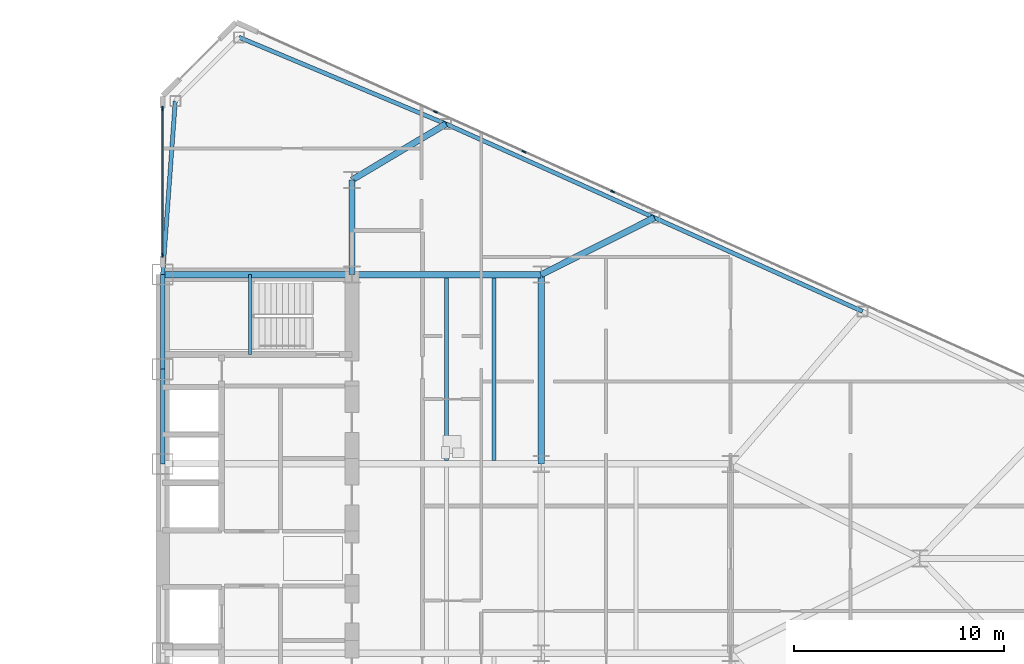
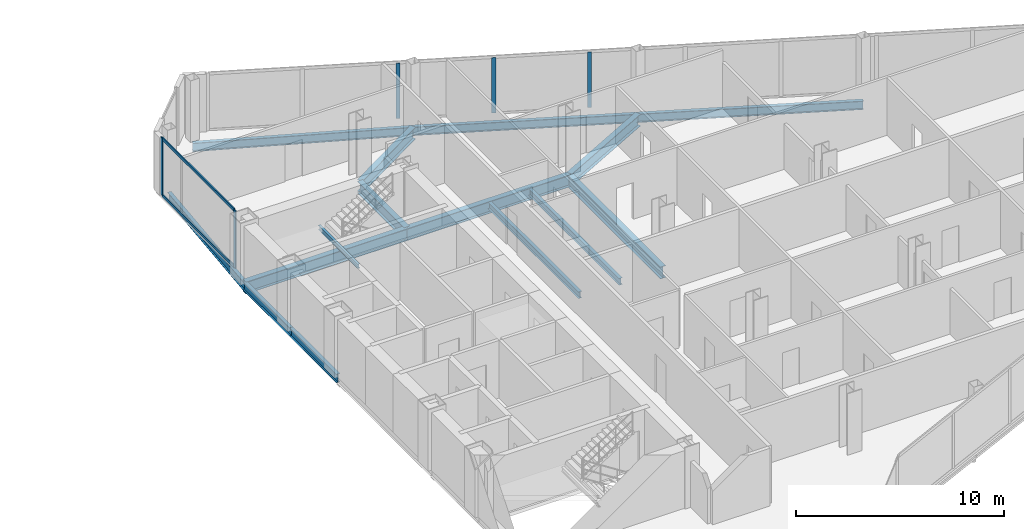
# One storey, part 13 of 27: 15 beams, 7 members, 2 elements without a shape of their own.
"""IFC4 building model written with IfcOpenShell, lengths in metres."""

from ifc_helpers import new_model, si_unit, direction, frame, origin, origin_2d, place, context, subcontext, project, spatial, rectangle, i_section, extrude, source, transform, mapped, material, layer, layer_set, material_profile, profile_set, type_object, type_shapes, element, aggregate, save


model = new_model("IFC4")

# Units and contexts
model_context = context("Model", 3, precision=1e-05, world=origin(), true_north=direction((0.0, 1.0)))
body_context = subcontext(model_context, "Body", "Model", "MODEL_VIEW")
ifc_project = project(units=[si_unit("LENGTHUNIT", "METRE"), si_unit("AREAUNIT", "SQUARE_METRE"), si_unit("VOLUMEUNIT", "CUBIC_METRE"), si_unit("PLANEANGLEUNIT", "RADIAN"), si_unit("MASSUNIT", "GRAM", prefix="KILO")], contexts=[model_context])

# Site, building, storey
site_placement = place(None, origin())
site = spatial("IfcSite", under=ifc_project, at=site_placement, CompositionType="ELEMENT")
building_placement = place(site_placement, origin())
building = spatial("IfcBuilding", under=site, at=building_placement, Name="Seokmaru Belvedere", CompositionType="ELEMENT")
storey_placement = place(building_placement, frame((0.0, 0.0, 92.39990234375)))
storey = spatial("IfcBuildingStorey", under=building, at=storey_placement, Name="L24", CompositionType="ELEMENT", Elevation=92.39990234375)

# Beams
ifc_material_1 = material(Name="Steel SM355 (355 MPa)", Category="steel")
ifc_material_profile_1 = material_profile(ifc_material_1, i_section(OverallWidth=0.199951171875, OverallDepth=0.5, WebThickness=0.010009765625, FlangeThickness=0.01611328125, at=origin_2d()), Name="H-500x200x10x16")
ifc_profile_set_1 = profile_set([ifc_material_profile_1], Name="Steel SM355 (355 MPa)")
beam_type_1 = type_object("IfcBeamType", Name="Perimeter Spandrel Beam H-500", PredefinedType="SPANDREL", material=ifc_profile_set_1)
shared_shape_1 = source(origin(), body_context, "Body", "SweptSolid", [
    extrude(i_section(OverallWidth=0.199951171875, OverallDepth=0.5, WebThickness=0.010009765625, FlangeThickness=0.01611328125, at=origin_2d()), origin(), (0.0, 0.0, 1.0), 4.5),
])
for number, where, z_axis, x_axis, name in (
    (1, (27.5, 4.5, -0.469970703125), (0.0, 1.0, 0.0), (-1.0, 0.0, 0.0), "L24 E Portal Spine Spandrel 4"),
    (2, (27.5, 9.0, -0.469970703125), (0.0, 1.0, 0.0), (-1.0, 0.0, 0.0), "L24 E Portal Spine Spandrel 5"),
):
    element("IfcBeam", number, at=place(storey_placement, frame(where, z_axis=z_axis, x_axis=x_axis)), inside=storey, type_object=beam_type_1, Name=name, PredefinedType="SPANDREL", context=body_context, shape_type="MappedRepresentation", body=[
        mapped(shared_shape_1, transform((0.0, 0.0, 0.0), scale=1.0)),
    ])
ifc_material_profile_2 = material_profile(ifc_material_1, i_section(OverallWidth=0.300048828125, OverallDepth=0.699951171875, WebThickness=0.012939453125, FlangeThickness=0.02392578125, at=origin_2d()), Name="H-700x300x13x24")
ifc_profile_set_2 = profile_set([ifc_material_profile_2], Name="Steel SM355 (355 MPa)")
beam_type_2 = type_object("IfcBeamType", Name="Primary Floor Girder H-700", PredefinedType="BEAM", material=ifc_profile_set_2)
shared_shape_2 = source(origin(), body_context, "Body", "SweptSolid", [
    extrude(i_section(OverallWidth=0.300048828125, OverallDepth=0.699951171875, WebThickness=0.012939453125, FlangeThickness=0.02392578125, at=origin_2d()), origin(), (0.0, 0.0, 1.0), 4.5),
])
beam_1_placement = place(storey_placement, frame((36.5, 13.5, -0.56982421875), z_axis=(0.0, 1.0, 0.0), x_axis=(-1.0, 0.0, 0.0)))
element("IfcBeam", 3, at=beam_1_placement, inside=storey, type_object=beam_type_2, Name="L24 E Core Shoulder Girder N", PredefinedType="BEAM", context=body_context, shape_type="MappedRepresentation", body=[
    mapped(shared_shape_2, transform((0.0, 0.0, 0.0), scale=1.0)),
])
shared_shape_3 = source(origin(), body_context, "Body", "SweptSolid", [
    extrude(i_section(OverallWidth=0.300048828125, OverallDepth=0.699951171875, WebThickness=0.012939453125, FlangeThickness=0.02392578125, at=origin_2d()), origin(), (0.0, 0.0, 1.0), 9.0),
])
for number, where, z_axis, x_axis, name in (
    (4, (45.5, 4.5, -0.56982421875), (0.0, 1.0, 0.0), (-1.0, 0.0, 0.0), "L24 E Interior Grid Girder 3"),
    (5, (27.5, 13.5, -0.56982421875), (1.0, 0.0, 0.0), (0.0, 1.0, 0.0), "L24 E Core Tie Girder 4"),
    (6, (36.5, 13.5, -0.56982421875), (1.0, 0.0, 0.0), (0.0, 1.0, 0.0), "L24 E Wing Primary Girder 4"),
):
    element("IfcBeam", number, at=place(storey_placement, frame(where, z_axis=z_axis, x_axis=x_axis)), inside=storey, type_object=beam_type_2, Name=name, PredefinedType="BEAM", context=body_context, shape_type="MappedRepresentation", body=[
        mapped(shared_shape_3, transform((0.0, 0.0, 0.0), scale=1.0)),
    ])
ifc_material_profile_3 = material_profile(ifc_material_1, i_section(OverallWidth=0.18505859375, OverallDepth=0.389892578125, WebThickness=0.008056640625, FlangeThickness=0.011962890625, at=origin_2d()), Name="H-390x185x8x12")
ifc_profile_set_3 = profile_set([ifc_material_profile_3], Name="Steel SM355 (355 MPa)")
beam_type_3 = type_object("IfcBeamType", Name="Secondary Floor Joist H-350", PredefinedType="JOIST", material=ifc_profile_set_3)
shared_shape_4 = source(origin(), body_context, "Body", "SweptSolid", [
    extrude(i_section(OverallWidth=0.18505859375, OverallDepth=0.389892578125, WebThickness=0.008056640625, FlangeThickness=0.011962890625, at=origin_2d()), origin(), (0.0, 0.0, 1.0), 8.68994140625),
])
type_shapes(beam_type_3, [shared_shape_4])
for number, where, z_axis, x_axis, name in (
    (7, (43.25, 4.655029296875, -0.414794921875), (0.0, 1.0, 0.0), (-1.0, 0.0, 0.0), "L24 E Wing Inner Secondary Joist 2"),
    (8, (41.0, 4.655029296875, -0.414794921875), (0.0, 1.0, 0.0), (-1.0, 0.0, 0.0), "L24 E Secondary Floor Joist 3"),
):
    element("IfcBeam", number, at=place(storey_placement, frame(where, z_axis=z_axis, x_axis=x_axis)), inside=storey, type_object=beam_type_3, Name=name, PredefinedType="JOIST", context=body_context, shape_type="MappedRepresentation", body=[
        mapped(shared_shape_4, transform((0.0, 0.0, 0.0), scale=1.0)),
    ])
shared_shape_5 = source(origin(), body_context, "Body", "SweptSolid", [
    extrude(i_section(OverallWidth=0.199951171875, OverallDepth=0.5, WebThickness=0.010009765625, FlangeThickness=0.01611328125, at=origin_2d()), origin(), (0.0, 0.0, 1.0), 10.66943359375),
])
beam_2_placement = place(storey_placement, frame((31.13134765625, 24.782958984375, -0.469970703125), z_axis=(0.922375393128, -0.386294750355, 0.0), x_axis=(0.386294750355, 0.922375393128, 0.0)))
element("IfcBeam", 9, at=beam_2_placement, inside=storey, type_object=beam_type_1, Name="L24 E Faceted Flank Spandrel N-1", PredefinedType="SPANDREL", context=body_context, shape_type="MappedRepresentation", body=[
    mapped(shared_shape_5, transform((0.0, 0.0, 0.0), scale=1.0)),
])
shared_shape_6 = source(origin(), body_context, "Body", "SweptSolid", [
    extrude(i_section(OverallWidth=0.199951171875, OverallDepth=0.5, WebThickness=0.010009765625, FlangeThickness=0.01611328125, at=origin_2d()), origin(), (0.0, 0.0, 1.0), 10.85888671875),
])
for number, where, z_axis, x_axis, name in (
    (10, (40.97265625, 20.661376953125, -0.469970703125), (0.911921505175, -0.410364677329, 0.0), (0.410364677329, 0.911921505175, 0.0), "L24 E Faceted Flank Spandrel N-2"),
    (11, (50.875, 16.205322265625, -0.469970703125), (0.911925291223, -0.410356263785, 0.0), (0.410356263785, 0.911925291223, 0.0), "L24 E Faceted Flank Spandrel N-3"),
):
    element("IfcBeam", number, at=place(storey_placement, frame(where, z_axis=z_axis, x_axis=x_axis)), inside=storey, type_object=beam_type_1, Name=name, PredefinedType="SPANDREL", context=body_context, shape_type="MappedRepresentation", body=[
        mapped(shared_shape_6, transform((0.0, 0.0, 0.0), scale=1.0)),
    ])
shared_shape_7 = source(origin(), body_context, "Body", "SweptSolid", [
    extrude(i_section(OverallWidth=0.199951171875, OverallDepth=0.5, WebThickness=0.010009765625, FlangeThickness=0.01611328125, at=origin_2d()), origin(), (0.0, 0.0, 1.0), 8.273193359375),
])
type_shapes(beam_type_1, [shared_shape_1, shared_shape_5, shared_shape_6, shared_shape_7])
beam_3_placement = place(storey_placement, frame((28.10009765625, 21.75146484375, -0.469970703125), z_axis=(-0.072534628348, -0.99736589459, 0.0), x_axis=(0.99736589459, -0.072534628348, 0.0)))
element("IfcBeam", 12, at=beam_3_placement, inside=storey, type_object=beam_type_1, Name="L24 E Shoulder Spine Spandrel N", PredefinedType="SPANDREL", context=body_context, shape_type="MappedRepresentation", body=[
    mapped(shared_shape_7, transform((0.0, 0.0, 0.0), scale=1.0)),
])
shared_shape_8 = source(origin(), body_context, "Body", "SweptSolid", [
    extrude(i_section(OverallWidth=0.300048828125, OverallDepth=0.699951171875, WebThickness=0.012939453125, FlangeThickness=0.02392578125, at=origin_2d()), origin(), (0.0, 0.0, 1.0), 5.20458984375),
])
beam_4_placement = place(storey_placement, frame((40.97265625, 20.661376953125, -0.56982421875), z_axis=(-0.859370434188, -0.511353553662, 0.0), x_axis=(0.511353553662, -0.859370434188, 0.0)))
element("IfcBeam", 13, at=beam_4_placement, inside=storey, type_object=beam_type_2, Name="L24 E Flank Radial Floor Girder N-1", PredefinedType="BEAM", context=body_context, shape_type="MappedRepresentation", body=[
    mapped(shared_shape_8, transform((0.0, 0.0, 0.0), scale=1.0)),
])
shared_shape_9 = source(origin(), body_context, "Body", "SweptSolid", [
    extrude(i_section(OverallWidth=0.300048828125, OverallDepth=0.699951171875, WebThickness=0.012939453125, FlangeThickness=0.02392578125, at=origin_2d()), origin(), (0.0, 0.0, 1.0), 6.017333984375),
])
type_shapes(beam_type_2, [shared_shape_2, shared_shape_3, shared_shape_8, shared_shape_9])
beam_5_placement = place(storey_placement, frame((50.875, 16.205322265625, -0.56982421875), z_axis=(-0.893239341975, -0.449581447512, 0.0), x_axis=(0.449581447512, -0.893239341975, 0.0)))
element("IfcBeam", 14, at=beam_5_placement, inside=storey, type_object=beam_type_2, Name="L24 E Flank Radial Floor Girder N-2", PredefinedType="BEAM", context=body_context, shape_type="MappedRepresentation", body=[
    mapped(shared_shape_9, transform((0.0, 0.0, 0.0), scale=1.0)),
])

# Curtain wall, members
ifc_material_2 = material(Name="Bronze Triple Insulating Glass", Category="glass")
ifc_layer = layer(ifc_material_2, 0.195068359375)
ifc_layer_set = layer_set([ifc_layer], Name="Bronze Triple Insulating Glass")
curtain_wall_type = type_object("IfcCurtainWallType", Name="Lower-Mid Tapered Curtain Wall System CW-3", PredefinedType="NOTDEFINED", material=ifc_layer_set)
curtain_wall_1_placement = place(storey_placement, origin())
curtain_wall_1 = element("IfcCurtainWall", 15, at=curtain_wall_1_placement, inside=storey, type_object=curtain_wall_type, Name="L24 Curtain Wall ESP_2", PredefinedType="NOTDEFINED")
ifc_material_3 = material(Name="Anodised Bronze Aluminium", Category="aluminium")
ifc_material_profile_4 = material_profile(ifc_material_3, rectangle(XDim=0.070068359375, YDim=0.1650390625, at=origin_2d()), Name="CW-T-70x165")
ifc_profile_set_4 = profile_set([ifc_material_profile_4], Name="Anodised Bronze Aluminium")
member_type_1 = type_object("IfcMemberType", Name="Bronze Unitised Transom 70x165", PredefinedType="USERDEFINED", material=ifc_profile_set_4)
shared_shape_10 = source(origin(), body_context, "Body", "SweptSolid", [
    extrude(rectangle(XDim=0.070068359375, YDim=0.1650390625, at=origin_2d()), origin(), (0.0, 0.0, 1.0), 6.91015625),
])
type_shapes(member_type_1, [shared_shape_10])
member_1_placement = place(storey_placement, frame((27.5, 21.360107421875, 0.03515625), z_axis=(0.0, -1.0, 0.0), x_axis=(1.0, 0.0, 0.0)))
member_1 = element("IfcMember", 16, at=member_1_placement, type_object=member_type_1, Name="CW:L24:ESP_2 Continuous Transom 1", ObjectType="TRANSOM", PredefinedType="USERDEFINED", context=body_context, shape_type="MappedRepresentation", body=[
    mapped(shared_shape_10, transform((0.0, 0.0, 0.0), scale=1.0)),
])
member_2_placement = place(storey_placement, frame((27.5, 21.360107421875, 3.34521484375), z_axis=(0.0, -1.0, 0.0), x_axis=(1.0, 0.0, 0.0)))
member_2 = element("IfcMember", 17, at=member_2_placement, type_object=member_type_1, Name="CW:L24:ESP_2 Continuous Transom 2", ObjectType="TRANSOM", PredefinedType="USERDEFINED", context=body_context, shape_type="MappedRepresentation", body=[
    mapped(shared_shape_10, transform((0.0, 0.0, 0.0), scale=1.0)),
])

curtain_wall_2_placement = place(storey_placement, origin())
curtain_wall_2 = element("IfcCurtainWall", 18, at=curtain_wall_2_placement, inside=storey, type_object=curtain_wall_type, Name="L24 Curtain Wall EF3", PredefinedType="NOTDEFINED")
ifc_material_profile_5 = material_profile(ifc_material_3, rectangle(XDim=0.070068359375, YDim=0.195068359375, at=origin_2d()), Name="CW-M-70x195")
ifc_profile_set_5 = profile_set([ifc_material_profile_5], Name="Anodised Bronze Aluminium")
member_type_2 = type_object("IfcMemberType", Name="Bronze Unitised Mullion 70x195", PredefinedType="MULLION", material=ifc_profile_set_5)
shared_shape_11 = source(origin(), body_context, "Body", "SweptSolid", [
    extrude(rectangle(XDim=0.070068359375, YDim=0.195068359375, at=origin_2d()), origin(), (0.0, 0.0, 1.0), 3.239990234375),
])
member_3_placement = place(storey_placement, frame((48.894287109375, 17.447509765625, 0.070068359375), z_axis=(0.0, 0.0, 1.0), x_axis=(-0.41036554765, -0.91192111353, 0.0)))
member_3 = element("IfcMember", 19, at=member_3_placement, type_object=member_type_2, Name="CW:L24:EF3 Mullion 6", PredefinedType="MULLION", context=body_context, shape_type="MappedRepresentation", body=[
    mapped(shared_shape_11, transform((0.0, 0.0, 0.0), scale=1.0)),
])
member_4_placement = place(storey_placement, frame((44.682861328125, 19.3427734375, 0.070068359375), z_axis=(0.0, 0.0, 1.0), x_axis=(-0.41036554765, -0.91192111353, 0.0)))
member_4 = element("IfcMember", 20, at=member_4_placement, type_object=member_type_2, Name="CW:L24:EF3 Mullion 7", PredefinedType="MULLION", context=body_context, shape_type="MappedRepresentation", body=[
    mapped(shared_shape_11, transform((0.0, 0.0, 0.0), scale=1.0)),
])
member_5_placement = place(storey_placement, frame((40.471435546875, 21.23779296875, 0.070068359375), z_axis=(0.0, 0.0, 1.0), x_axis=(-0.41036554765, -0.91192111353, 0.0)))
member_5 = element("IfcMember", 21, at=member_5_placement, type_object=member_type_2, Name="CW:L24:EF3 Mullion 8", PredefinedType="MULLION", context=body_context, shape_type="MappedRepresentation", body=[
    mapped(shared_shape_11, transform((0.0, 0.0, 0.0), scale=1.0)),
])
aggregate(curtain_wall_2, [member_3, member_4, member_5])

# Member
shared_shape_12 = source(origin(), body_context, "Body", "SweptSolid", [
    extrude(rectangle(XDim=0.070068359375, YDim=0.195068359375, at=origin_2d()), origin(), (0.0, 0.0, 1.0), 3.380126953125),
])
type_shapes(member_type_2, [shared_shape_11, shared_shape_12])
member_6_placement = place(storey_placement, frame((27.5, 21.39501953125, 0.0), z_axis=(0.0, 0.0, 1.0), x_axis=(1.0, 0.0, 0.0)))
member_6 = element("IfcMember", 22, at=member_6_placement, type_object=member_type_2, Name="CW:L24:ESP_2 Mullion 1", PredefinedType="MULLION", context=body_context, shape_type="MappedRepresentation", body=[
    mapped(shared_shape_12, transform((0.0, 0.0, 0.0), scale=1.0)),
])

member_7_placement = place(storey_placement, frame((27.5, 14.4150390625, 0.0), z_axis=(0.0, 0.0, 1.0), x_axis=(1.0, 0.0, 0.0)))
member_7 = element("IfcMember", 23, at=member_7_placement, type_object=member_type_2, Name="CW:L24:ESP_2 Mullion 2", PredefinedType="MULLION", context=body_context, shape_type="MappedRepresentation", body=[
    mapped(shared_shape_12, transform((0.0, 0.0, 0.0), scale=1.0)),
])

aggregate(curtain_wall_1, [member_6, member_7, member_1, member_2])

# Beam
ifc_material_profile_6 = material_profile(ifc_material_1, i_section(OverallWidth=0.125, OverallDepth=0.25, WebThickness=0.006103515625, FlangeThickness=0.009033203125, at=origin_2d()), Name="H-250x125x6x9")
ifc_profile_set_6 = profile_set([ifc_material_profile_6], Name="Steel SM355 (355 MPa)")
beam_type_4 = type_object("IfcBeamType", Name="Stair Mid-Landing Support Beam H-250", PredefinedType="JOIST", material=ifc_profile_set_6)
shared_shape_13 = source(origin(), body_context, "Body", "SweptSolid", [
    extrude(i_section(OverallWidth=0.125, OverallDepth=0.25, WebThickness=0.006103515625, FlangeThickness=0.009033203125, at=origin_2d()), origin(), (0.0, 0.0, 1.0), 3.800048828125),
])
type_shapes(beam_type_4, [shared_shape_13])
beam_6_placement = place(storey_placement, frame((31.64990234375, 9.699951171875, 1.47509765625), z_axis=(0.0, 1.0, 0.0), x_axis=(-1.0, 0.0, 0.0)))
element("IfcBeam", 24, at=beam_6_placement, inside=storey, type_object=beam_type_4, Name="L24 Stair ST-E2 Mid-Landing Support Beam 1", PredefinedType="JOIST", context=body_context, shape_type="MappedRepresentation", body=[
    mapped(shared_shape_13, transform((0.0, 0.0, 0.0), scale=1.0)),
])

save(model, "model.ifc")
